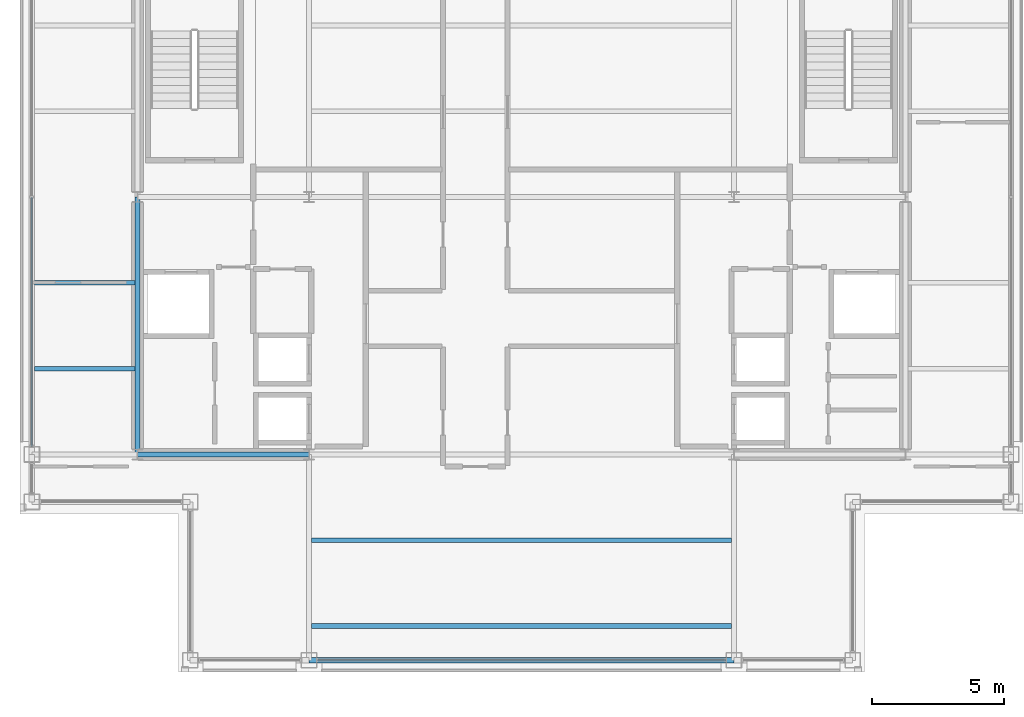
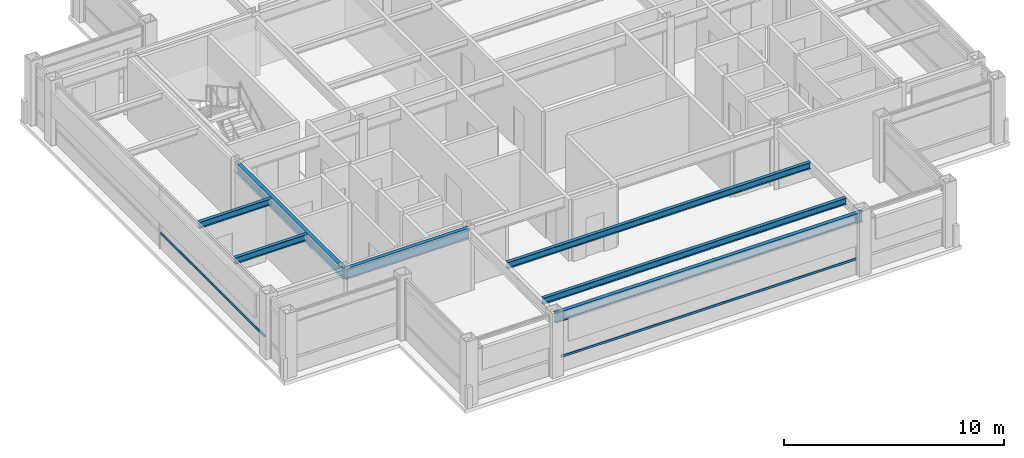
# One storey, part 3 of 22: 7 beams, 2 members, 2 elements without a shape of their own.
"""IFC4 building model written with IfcOpenShell, lengths in metres."""

from ifc_helpers import new_model, si_unit, direction, frame, origin, origin_2d, place, context, subcontext, project, spatial, hollow_rectangle, i_section, extrude, material, layer, layer_set, material_profile, profile_set, type_object, element, aggregate, save


model = new_model("IFC4")

# Units and contexts
model_context = context("Model", 3, precision=1e-05, world=origin(), true_north=direction((0.0, 1.0)))
body_context = subcontext(model_context, "Body", "Model", "MODEL_VIEW")
ifc_project = project(units=[si_unit("LENGTHUNIT", "METRE"), si_unit("AREAUNIT", "SQUARE_METRE"), si_unit("VOLUMEUNIT", "CUBIC_METRE"), si_unit("PLANEANGLEUNIT", "RADIAN"), si_unit("MASSUNIT", "GRAM", prefix="KILO")], contexts=[model_context])

# Site, building, storey
site_placement = place(None, origin())
site = spatial("IfcSite", under=ifc_project, at=site_placement, CompositionType="ELEMENT")
building_placement = place(site_placement, origin())
building = spatial("IfcBuilding", under=site, at=building_placement, Name="Brelmoor Portico Tower", CompositionType="ELEMENT")
storey_placement = place(building_placement, frame((0.0, 0.0, 280.800048828125)))
storey = spatial("IfcBuildingStorey", under=building, at=storey_placement, Name="L74", CompositionType="ELEMENT", Elevation=280.800048828125)

# Beams
ifc_material_1 = material(Name="Steel Q355B", Category="steel")
ifc_material_profile_1 = material_profile(ifc_material_1, i_section(OverallWidth=0.175048828125, OverallDepth=0.35009765625, WebThickness=0.007080078125, FlangeThickness=0.010986328125, at=origin_2d()), Name="HN 350x175x7x11")
ifc_profile_set_1 = profile_set([ifc_material_profile_1], Name="Steel Q355B")
beam_type_1 = type_object("IfcBeamType", Name="BM-JS-350", PredefinedType="JOIST", material=ifc_profile_set_1)
for number, where, z_axis, x_axis, name in (
    (1, (-7.949951171875, -16.25, 3.224853515625), (1.0, 0.0, 0.0), (0.0, 1.0, 0.0), "L74 Secondary Composite Joist JS-C01"),
    (2, (-7.949951171875, -13.0, 3.224853515625), (1.0, 0.0, 0.0), (0.0, 1.0, 0.0), "L74 Secondary Composite Joist JS-C02"),
):
    element("IfcBeam", number, at=place(storey_placement, frame(where, z_axis=z_axis, x_axis=x_axis)), inside=storey, type_object=beam_type_1, Name=name, PredefinedType="JOIST", context=body_context, shape_type="SweptSolid", body=[
        extrude(i_section(OverallWidth=0.175048828125, OverallDepth=0.35009765625, WebThickness=0.007080078125, FlangeThickness=0.010986328125, at=origin_2d()), origin(), (0.0, 0.0, 1.0), 15.89990234375),
    ])
for number, where, z_axis, x_axis, name in (
    (3, (-18.449951171875, -6.5, 3.224853515625), (1.0, 0.0, 0.0), (0.0, 1.0, 0.0), "L74 Secondary Wing Joist JS-W07"),
    (4, (-18.449951171875, -3.25, 3.224853515625), (1.0, 0.0, 0.0), (0.0, 1.0, 0.0), "L74 Secondary Wing Joist JS-W08"),
):
    element("IfcBeam", number, at=place(storey_placement, frame(where, z_axis=z_axis, x_axis=x_axis)), inside=storey, type_object=beam_type_1, Name=name, PredefinedType="JOIST", context=body_context, shape_type="SweptSolid", body=[
        extrude(i_section(OverallWidth=0.175048828125, OverallDepth=0.35009765625, WebThickness=0.007080078125, FlangeThickness=0.010986328125, at=origin_2d()), origin(), (0.0, 0.0, 1.0), 3.800048828125),
    ])
ifc_material_profile_2 = material_profile(ifc_material_1, i_section(OverallWidth=0.199951171875, OverallDepth=0.60009765625, WebThickness=0.010986328125, FlangeThickness=0.01708984375, at=origin_2d()), Name="HN 600x200x11x17")
ifc_profile_set_2 = profile_set([ifc_material_profile_2], Name="Steel Q355B")
beam_type_2 = type_object("IfcBeamType", Name="BM-PG-600", PredefinedType="BEAM", material=ifc_profile_set_2)
beam_1_placement = place(storey_placement, frame((-14.550048828125, -9.75, 3.099853515625), z_axis=(0.0, 1.0, 0.0), x_axis=(-1.0, 0.0, 0.0)))
element("IfcBeam", 5, at=beam_1_placement, inside=storey, type_object=beam_type_2, Name="L74 Primary Floor Girder PG-01", PredefinedType="BEAM", context=body_context, shape_type="SweptSolid", body=[
    extrude(i_section(OverallWidth=0.199951171875, OverallDepth=0.60009765625, WebThickness=0.010986328125, FlangeThickness=0.01708984375, at=origin_2d()), origin(), (0.0, 0.0, 1.0), 9.75),
])
beam_2_placement = place(storey_placement, frame((-14.550048828125, -9.75, 3.099853515625), z_axis=(1.0, 0.0, 0.0), x_axis=(0.0, 1.0, 0.0)))
element("IfcBeam", 6, at=beam_2_placement, inside=storey, type_object=beam_type_2, Name="L74 Primary Floor Girder PG-12", PredefinedType="BEAM", context=body_context, shape_type="SweptSolid", body=[
    extrude(i_section(OverallWidth=0.199951171875, OverallDepth=0.60009765625, WebThickness=0.010986328125, FlangeThickness=0.01708984375, at=origin_2d()), origin(), (0.0, 0.0, 1.0), 6.5),
])
ifc_material_profile_3 = material_profile(ifc_material_1, i_section(OverallWidth=0.199951171875, OverallDepth=0.550048828125, WebThickness=0.010009765625, FlangeThickness=0.01611328125, at=origin_2d()), Name="HN 550x200x10x16")
ifc_profile_set_3 = profile_set([ifc_material_profile_3], Name="Steel Q355B")
beam_type_3 = type_object("IfcBeamType", Name="BM-SP-550", PredefinedType="SPANDREL", material=ifc_profile_set_3)
beam_3_placement = place(storey_placement, frame((-8.050048828125, -17.550048828125, 3.125), z_axis=(1.0, 0.0, 0.0), x_axis=(0.0, 1.0, 0.0)))
element("IfcBeam", 7, at=beam_3_placement, inside=storey, type_object=beam_type_3, Name="L74 Perimeter Spandrel Beam SP-02", PredefinedType="SPANDREL", context=body_context, shape_type="SweptSolid", body=[
    extrude(i_section(OverallWidth=0.199951171875, OverallDepth=0.550048828125, WebThickness=0.010009765625, FlangeThickness=0.01611328125, at=origin_2d()), origin(), (0.0, 0.0, 1.0), 16.10009765625),
])

# Curtain wall, member
ifc_material_2 = material(Name="Anodised Aluminium Alloy 6063-T6", Category="aluminium")
ifc_layer = layer(ifc_material_2, 0.179931640625)
ifc_layer_set = layer_set([ifc_layer], Name="Anodised Aluminium Alloy 6063-T6")
curtain_wall_type = type_object("IfcCurtainWallType", Name="CW-TOWER-Z4", PredefinedType="NOTDEFINED", material=ifc_layer_set)
curtain_wall_1_placement = place(storey_placement, origin())
curtain_wall_1 = element("IfcCurtainWall", 8, at=curtain_wall_1_placement, inside=storey, type_object=curtain_wall_type, Name="L74 Curtain Wall CW-L74-01-2", PredefinedType="NOTDEFINED")
ifc_material_profile_4 = material_profile(ifc_material_2, hollow_rectangle(XDim=0.06005859375, YDim=0.125, WallThickness=0.00341796875, at=origin_2d()), Name="ALU TRANSOM 60x125")
ifc_profile_set_4 = profile_set([ifc_material_profile_4], Name="Anodised Aluminium Alloy 6063-T6")
member_type = type_object("IfcMemberType", Name="MB-CW-TRAN-125", PredefinedType="USERDEFINED", material=ifc_profile_set_4)
member_1_placement = place(storey_placement, frame((-7.739990234375, -17.550048828125, 0.849853515625), z_axis=(1.0, 0.0, 0.0), x_axis=(0.0, 1.0, 0.0)))
member_1 = element("IfcMember", 9, at=member_1_placement, type_object=member_type, Name="CW-L74-01-2 Transom 1-00", ObjectType="TRANSOM", PredefinedType="USERDEFINED", context=body_context, shape_type="SweptSolid", body=[
    extrude(hollow_rectangle(XDim=0.06005859375, YDim=0.125, WallThickness=0.00341796875, at=origin_2d()), origin(), (0.0, 0.0, 1.0), 15.47998046875),
])
aggregate(curtain_wall_1, [member_1])

curtain_wall_2_placement = place(storey_placement, origin())
curtain_wall_2 = element("IfcCurtainWall", 10, at=curtain_wall_2_placement, inside=storey, type_object=curtain_wall_type, Name="L74 Curtain Wall CW-L74-03-2", PredefinedType="NOTDEFINED")
member_2_placement = place(storey_placement, frame((-18.550048828125, -9.43994140625, 0.849853515625), z_axis=(0.0, 1.0, 0.0), x_axis=(-1.0, 0.0, 0.0)))
member_2 = element("IfcMember", 11, at=member_2_placement, type_object=member_type, Name="CW-L74-03-2 Transom 1-00", ObjectType="TRANSOM", PredefinedType="USERDEFINED", context=body_context, shape_type="SweptSolid", body=[
    extrude(hollow_rectangle(XDim=0.06005859375, YDim=0.125, WallThickness=0.00341796875, at=origin_2d()), origin(), (0.0, 0.0, 1.0), 9.43994140625),
])
aggregate(curtain_wall_2, [member_2])

save(model, "model.ifc")
